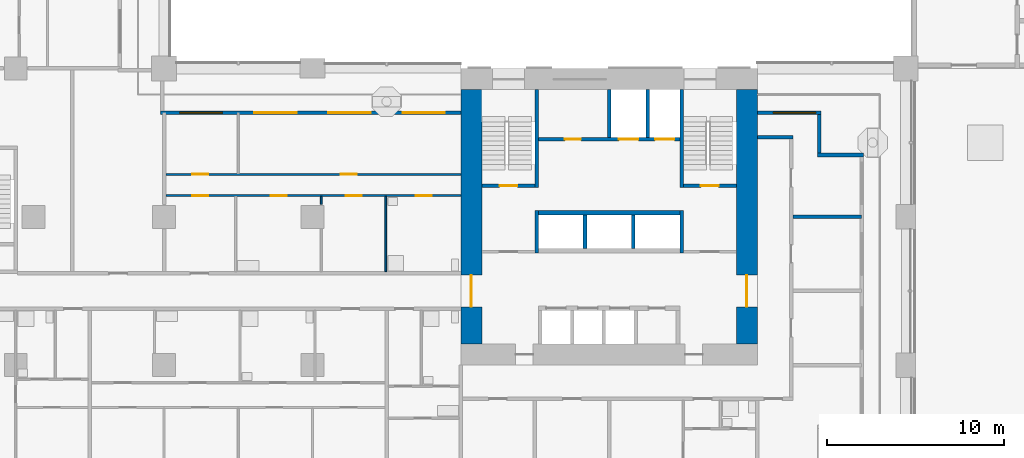
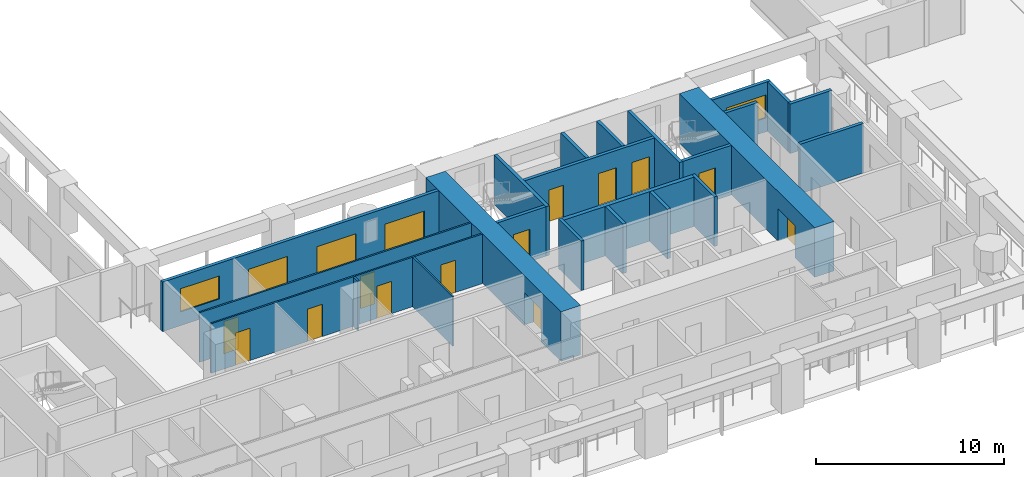
# One storey, part 7 of 23: 24 walls, 16 doors, 2 windows, 18 openings.
"""IFC4 building model written with IfcOpenShell, lengths in metres."""

from ifc_helpers import new_model, si_unit, direction, frame, frame_2d, origin, place, context, subcontext, project, spatial, rectangle, extrude, material, layer, layer_set, type_object, element, fill, save


model = new_model("IFC4")

# Units and contexts
model_context = context("Model", 3, precision=1e-05, world=origin(), true_north=direction((0.0, 1.0)))
body_context = subcontext(model_context, "Body", "Model", "MODEL_VIEW")
ifc_project = project(units=[si_unit("LENGTHUNIT", "METRE"), si_unit("AREAUNIT", "SQUARE_METRE"), si_unit("VOLUMEUNIT", "CUBIC_METRE"), si_unit("PLANEANGLEUNIT", "RADIAN"), si_unit("MASSUNIT", "GRAM", prefix="KILO")], contexts=[model_context])

# Site, building, storey
site_placement = place(None, origin())
site = spatial("IfcSite", under=ifc_project, at=site_placement, CompositionType="ELEMENT")
building_placement = place(site_placement, origin())
building = spatial("IfcBuilding", under=site, at=building_placement, Name="Vermilion Gate Residences", CompositionType="ELEMENT")
storey_placement = place(building_placement, frame((0.0, 0.0, 25.199951171875)))
storey = spatial("IfcBuildingStorey", under=building, at=storey_placement, Name="L04", CompositionType="ELEMENT", Elevation=25.199951171875)

# Walls
ifc_material_1 = material(Name="Insulated steel stud wall with terracotta rainscreen", Category="masonry")
ifc_layer_1 = layer(ifc_material_1, 0.199951171875)
ifc_layer_set_1 = layer_set([ifc_layer_1], Name="EXTERNAL WALL 200 TERRACOTTA RAINSCREEN")
wall_type_1 = type_object("IfcWallType", Name="EXTERNAL WALL 200 TERRACOTTA RAINSCREEN", PredefinedType="SOLIDWALL", material=ifc_layer_set_1)
wall_1_placement = place(storey_placement, frame((64.800048828125, 20.300048828125, 0.0), z_axis=(0.0, 0.0, 1.0), x_axis=(-1.0, 0.0, 0.0)))
element("IfcWall", 1, at=wall_1_placement, inside=storey, type_object=wall_type_1, Name="External wall", PredefinedType="SOLIDWALL", context=body_context, shape_type="SweptSolid", body=[
    extrude(rectangle(XDim=2.60009765625, YDim=0.199951171875, at=frame_2d((1.300048828125, 0.0))), origin(), (0.0, 0.0, 1.0), 3.219970703125),
])
wall_2_placement = place(storey_placement, frame((62.300048828125, 20.39990234375, 0.0), z_axis=(0.0, 0.0, 1.0), x_axis=(0.0, 1.0, 0.0)))
element("IfcWall", 2, at=wall_2_placement, inside=storey, type_object=wall_type_1, Name="External wall", PredefinedType="SOLIDWALL", context=body_context, shape_type="SweptSolid", body=[
    extrude(rectangle(XDim=2.2001953125, YDim=0.199951171875, at=frame_2d((1.10009765625, 0.0))), origin(), (0.0, 0.0, 1.0), 3.219970703125),
])

# Wall, opening, window
wall_3_placement = place(storey_placement, frame((62.39990234375, 22.699951171875, 0.0), z_axis=(0.0, 0.0, 1.0), x_axis=(-1.0, 0.0, 0.0)))
wall_3 = element("IfcWall", 3, at=wall_3_placement, inside=storey, type_object=wall_type_1, Name="External wall", PredefinedType="SOLIDWALL", context=body_context, shape_type="SweptSolid", body=[
    extrude(rectangle(XDim=3.599853515625, YDim=0.199951171875, at=frame_2d((1.7998046875, 0.0))), origin(), (0.0, 0.0, 1.0), 3.219970703125),
])
opening_1_placement = place(wall_3_placement, frame((0.300048828125, 0.0, 0.89990234375)))
opening_1 = element("IfcOpeningElement", 4, at=opening_1_placement, cuts=wall_3, Name="Opening WE04032", PredefinedType="OPENING", context=body_context, shape_type="SweptSolid", body=[
    extrude(rectangle(XDim=2.39990234375, YDim=1.5, at=frame_2d((1.199951171875, 0.75))), frame((0.0, 0.10986328125, 0.0), z_axis=(0.0, -1.0, 0.0), x_axis=(1.0, 0.0, 0.0)), (0.0, 0.0, 1.0), 0.219970703125),
])
ifc_material_2 = material(Name="Aluminium and clear glass", Category="aluminium")
window_type = type_object("IfcWindowType", Name="WINDOW 2400 X 1500", PartitioningType="SINGLE_PANEL", PredefinedType="WINDOW", material=ifc_material_2)
window_1_placement = place(opening_1_placement, origin())
window_1 = element("IfcWindow", 5, at=window_1_placement, inside=storey, type_object=window_type, Name="Window", OverallHeight=1.5, OverallWidth=2.39990234375, PartitioningType="SINGLE_PANEL", PredefinedType="WINDOW", context=body_context, shape_type="SweptSolid", body=[
    extrude(rectangle(XDim=2.39990234375, YDim=1.5, at=frame_2d((1.199951171875, 0.75))), frame((0.0, 0.030029296875, 0.0), z_axis=(0.0, -1.0, 0.0), x_axis=(1.0, 0.0, 0.0)), (0.0, 0.0, 1.0), 0.06005859375),
])
fill(opening_1, window_1)

# Wall, openings, doors, window
wall_4_placement = place(storey_placement, frame((42.0, 22.699951171875, 0.0), z_axis=(0.0, 0.0, 1.0), x_axis=(-1.0, 0.0, 0.0)))
wall_4 = element("IfcWall", 6, at=wall_4_placement, inside=storey, type_object=wall_type_1, Name="External wall", PredefinedType="SOLIDWALL", context=body_context, shape_type="SweptSolid", body=[
    extrude(rectangle(XDim=17.0, YDim=0.199951171875, at=frame_2d((8.5, 0.0))), origin(), (0.0, 0.0, 1.0), 3.219970703125),
])
opening_2_placement = place(wall_4_placement, frame((13.5, 0.0, 0.89990234375)))
opening_2 = element("IfcOpeningElement", 7, at=opening_2_placement, cuts=wall_4, Name="Opening WE04033", PredefinedType="OPENING", context=body_context, shape_type="SweptSolid", body=[
    extrude(rectangle(XDim=2.39990234375, YDim=1.5, at=frame_2d((1.199951171875, 0.75))), frame((0.0, 0.10986328125, 0.0), z_axis=(0.0, -1.0, 0.0), x_axis=(1.0, 0.0, 0.0)), (0.0, 0.0, 1.0), 0.219970703125),
])
opening_3_placement = place(wall_4_placement, frame((9.300048828125, 0.0, 0.0)))
opening_3 = element("IfcOpeningElement", 8, at=opening_3_placement, cuts=wall_4, Name="Opening DE04034", PredefinedType="OPENING", context=body_context, shape_type="SweptSolid", body=[
    extrude(rectangle(XDim=2.39990234375, YDim=2.199951171875, at=frame_2d((1.199951171875, 1.10009765625))), frame((0.0, 0.10986328125, 0.0), z_axis=(0.0, -1.0, 0.0), x_axis=(1.0, 0.0, 0.0)), (0.0, 0.0, 1.0), 0.219970703125),
])
opening_4_placement = place(wall_4_placement, frame((5.10009765625, 0.0, 0.0)))
opening_4 = element("IfcOpeningElement", 9, at=opening_4_placement, cuts=wall_4, Name="Opening DE04035", PredefinedType="OPENING", context=body_context, shape_type="SweptSolid", body=[
    extrude(rectangle(XDim=2.39990234375, YDim=2.199951171875, at=frame_2d((1.199951171875, 1.10009765625))), frame((0.0, 0.10986328125, 0.0), z_axis=(0.0, -1.0, 0.0), x_axis=(1.0, 0.0, 0.0)), (0.0, 0.0, 1.0), 0.219970703125),
])
opening_5_placement = place(wall_4_placement, frame((0.89990234375, 0.0, 0.0)))
opening_5 = element("IfcOpeningElement", 10, at=opening_5_placement, cuts=wall_4, Name="Opening DE04036", PredefinedType="OPENING", context=body_context, shape_type="SweptSolid", body=[
    extrude(rectangle(XDim=2.39990234375, YDim=2.199951171875, at=frame_2d((1.199951171875, 1.10009765625))), frame((0.0, 0.10986328125, 0.0), z_axis=(0.0, -1.0, 0.0), x_axis=(1.0, 0.0, 0.0)), (0.0, 0.0, 1.0), 0.219970703125),
])
ifc_material_3 = material(Name="Aluminium and clear glass", Category="aluminium")
door_type_1 = type_object("IfcDoorType", Name="SLIDING GLAZED DOOR 2400 X 2200", OperationType="DOUBLE_DOOR_SLIDING", PredefinedType="DOOR", material=ifc_material_3)
door_1_placement = place(opening_3_placement, origin())
door_1 = element("IfcDoor", 11, at=door_1_placement, inside=storey, type_object=door_type_1, Name="Loggia sliding door", OperationType="DOUBLE_DOOR_SLIDING", OverallHeight=2.199951171875, OverallWidth=2.39990234375, PredefinedType="DOOR", context=body_context, shape_type="SweptSolid", body=[
    extrude(rectangle(XDim=2.39990234375, YDim=2.199951171875, at=frame_2d((1.199951171875, 1.10009765625))), frame((0.0, 0.02490234375, 0.0), z_axis=(0.0, -1.0, 0.0), x_axis=(1.0, 0.0, 0.0)), (0.0, 0.0, 1.0), 0.050048828125),
])
fill(opening_3, door_1)
door_2_placement = place(opening_4_placement, origin())
door_2 = element("IfcDoor", 12, at=door_2_placement, inside=storey, type_object=door_type_1, Name="Loggia sliding door", OperationType="DOUBLE_DOOR_SLIDING", OverallHeight=2.199951171875, OverallWidth=2.39990234375, PredefinedType="DOOR", context=body_context, shape_type="SweptSolid", body=[
    extrude(rectangle(XDim=2.39990234375, YDim=2.199951171875, at=frame_2d((1.199951171875, 1.10009765625))), frame((0.0, 0.02490234375, 0.0), z_axis=(0.0, -1.0, 0.0), x_axis=(1.0, 0.0, 0.0)), (0.0, 0.0, 1.0), 0.050048828125),
])
fill(opening_4, door_2)
door_3_placement = place(opening_5_placement, origin())
door_3 = element("IfcDoor", 13, at=door_3_placement, inside=storey, type_object=door_type_1, Name="Loggia sliding door", OperationType="DOUBLE_DOOR_SLIDING", OverallHeight=2.199951171875, OverallWidth=2.39990234375, PredefinedType="DOOR", context=body_context, shape_type="SweptSolid", body=[
    extrude(rectangle(XDim=2.39990234375, YDim=2.199951171875, at=frame_2d((1.199951171875, 1.10009765625))), frame((0.0, 0.02490234375, 0.0), z_axis=(0.0, -1.0, 0.0), x_axis=(1.0, 0.0, 0.0)), (0.0, 0.0, 1.0), 0.050048828125),
])
fill(opening_5, door_3)
window_2_placement = place(opening_2_placement, origin())
window_2 = element("IfcWindow", 14, at=window_2_placement, inside=storey, type_object=window_type, Name="Window", OverallHeight=1.5, OverallWidth=2.39990234375, PartitioningType="SINGLE_PANEL", PredefinedType="WINDOW", context=body_context, shape_type="SweptSolid", body=[
    extrude(rectangle(XDim=2.39990234375, YDim=1.5, at=frame_2d((1.199951171875, 0.75))), frame((0.0, 0.030029296875, 0.0), z_axis=(0.0, -1.0, 0.0), x_axis=(1.0, 0.0, 0.0)), (0.0, 0.0, 1.0), 0.06005859375),
])
fill(opening_2, window_2)

# Wall, openings, doors
ifc_material_4 = material(Name="Plasterboard on steel studs", Category="steel")
ifc_layer_2 = layer(ifc_material_4, 0.10009765625)
ifc_layer_set_2 = layer_set([ifc_layer_2], Name="PARTITION 100")
wall_type_2 = type_object("IfcWallType", Name="PARTITION 100", PredefinedType="PARTITIONING", material=ifc_layer_set_2)
wall_5_placement = place(storey_placement, frame((25.300048828125, 18.0, 0.0), z_axis=(0.0, 0.0, 1.0), x_axis=(1.0, 0.0, 0.0)))
wall_5 = element("IfcWall", 15, at=wall_5_placement, inside=storey, type_object=wall_type_2, Name="Partition", PredefinedType="PARTITIONING", context=body_context, shape_type="SweptSolid", body=[
    extrude(rectangle(XDim=16.699951171875, YDim=0.10009765625, at=frame_2d((8.35009765625, 0.0))), origin(), (0.0, 0.0, 1.0), 3.219970703125),
])
opening_6_placement = place(wall_5_placement, frame((1.5, 0.0, 0.0)))
opening_6 = element("IfcOpeningElement", 16, at=opening_6_placement, cuts=wall_5, Name="Opening DA04026", PredefinedType="OPENING", context=body_context, shape_type="SweptSolid", body=[
    extrude(rectangle(XDim=0.89990234375, YDim=2.10009765625, at=frame_2d((0.449951171875, 1.050048828125))), frame((0.0, 0.06005859375, 0.0), z_axis=(0.0, -1.0, 0.0), x_axis=(1.0, 0.0, 0.0)), (0.0, 0.0, 1.0), 0.1201171875),
])
opening_7_placement = place(wall_5_placement, frame((5.949951171875, 0.0, 0.0)))
opening_7 = element("IfcOpeningElement", 17, at=opening_7_placement, cuts=wall_5, Name="Opening DA04027", PredefinedType="OPENING", context=body_context, shape_type="SweptSolid", body=[
    extrude(rectangle(XDim=0.89990234375, YDim=2.10009765625, at=frame_2d((0.449951171875, 1.050048828125))), frame((0.0, 0.06005859375, 0.0), z_axis=(0.0, -1.0, 0.0), x_axis=(1.0, 0.0, 0.0)), (0.0, 0.0, 1.0), 0.1201171875),
])
opening_8_placement = place(wall_5_placement, frame((10.199951171875, 0.0, 0.0)))
opening_8 = element("IfcOpeningElement", 18, at=opening_8_placement, cuts=wall_5, Name="Opening DA04028", PredefinedType="OPENING", context=body_context, shape_type="SweptSolid", body=[
    extrude(rectangle(XDim=0.89990234375, YDim=2.10009765625, at=frame_2d((0.449951171875, 1.050048828125))), frame((0.0, 0.06005859375, 0.0), z_axis=(0.0, -1.0, 0.0), x_axis=(1.0, 0.0, 0.0)), (0.0, 0.0, 1.0), 0.1201171875),
])
opening_9_placement = place(wall_5_placement, frame((14.14990234375, 0.0, 0.0)))
opening_9 = element("IfcOpeningElement", 19, at=opening_9_placement, cuts=wall_5, Name="Opening DA04029", PredefinedType="OPENING", context=body_context, shape_type="SweptSolid", body=[
    extrude(rectangle(XDim=0.89990234375, YDim=2.10009765625, at=frame_2d((0.449951171875, 1.050048828125))), frame((0.0, 0.06005859375, 0.0), z_axis=(0.0, -1.0, 0.0), x_axis=(1.0, 0.0, 0.0)), (0.0, 0.0, 1.0), 0.1201171875),
])
ifc_material_5 = material(Name="Timber", Category="wood")
door_type_2 = type_object("IfcDoorType", Name="INTERIOR DOOR 900 X 2100", OperationType="SINGLE_SWING_LEFT", PredefinedType="DOOR", material=ifc_material_5)
door_4_placement = place(opening_6_placement, frame((0.89990234375, 0.0, 0.0), z_axis=(0.0, 0.0, 1.0), x_axis=(-1.0, 0.0, 0.0)))
door_4 = element("IfcDoor", 20, at=door_4_placement, inside=storey, type_object=door_type_2, Name="Interior door", OperationType="SINGLE_SWING_RIGHT", OverallHeight=2.10009765625, OverallWidth=0.89990234375, PredefinedType="DOOR", context=body_context, shape_type="SweptSolid", body=[
    extrude(rectangle(XDim=0.89990234375, YDim=2.10009765625, at=frame_2d((0.449951171875, 1.050048828125))), frame((0.0, 0.02490234375, 0.0), z_axis=(0.0, -1.0, 0.0), x_axis=(1.0, 0.0, 0.0)), (0.0, 0.0, 1.0), 0.050048828125),
])
fill(opening_6, door_4)
door_5_placement = place(opening_7_placement, frame((0.89990234375, 0.0, 0.0), z_axis=(0.0, 0.0, 1.0), x_axis=(-1.0, 0.0, 0.0)))
door_5 = element("IfcDoor", 21, at=door_5_placement, inside=storey, type_object=door_type_2, Name="Interior door", OperationType="SINGLE_SWING_LEFT", OverallHeight=2.10009765625, OverallWidth=0.89990234375, PredefinedType="DOOR", context=body_context, shape_type="SweptSolid", body=[
    extrude(rectangle(XDim=0.89990234375, YDim=2.10009765625, at=frame_2d((0.449951171875, 1.050048828125))), frame((0.0, 0.02490234375, 0.0), z_axis=(0.0, -1.0, 0.0), x_axis=(1.0, 0.0, 0.0)), (0.0, 0.0, 1.0), 0.050048828125),
])
fill(opening_7, door_5)
door_6_placement = place(opening_8_placement, frame((0.89990234375, 0.0, 0.0), z_axis=(0.0, 0.0, 1.0), x_axis=(-1.0, 0.0, 0.0)))
door_6 = element("IfcDoor", 22, at=door_6_placement, inside=storey, type_object=door_type_2, Name="Interior door", OperationType="SINGLE_SWING_LEFT", OverallHeight=2.10009765625, OverallWidth=0.89990234375, PredefinedType="DOOR", context=body_context, shape_type="SweptSolid", body=[
    extrude(rectangle(XDim=0.89990234375, YDim=2.10009765625, at=frame_2d((0.449951171875, 1.050048828125))), frame((0.0, 0.02490234375, 0.0), z_axis=(0.0, -1.0, 0.0), x_axis=(1.0, 0.0, 0.0)), (0.0, 0.0, 1.0), 0.050048828125),
])
fill(opening_8, door_6)
door_7_placement = place(opening_9_placement, frame((0.89990234375, 0.0, 0.0), z_axis=(0.0, 0.0, 1.0), x_axis=(-1.0, 0.0, 0.0)))
door_7 = element("IfcDoor", 23, at=door_7_placement, inside=storey, type_object=door_type_2, Name="Interior door", OperationType="SINGLE_SWING_RIGHT", OverallHeight=2.10009765625, OverallWidth=0.89990234375, PredefinedType="DOOR", context=body_context, shape_type="SweptSolid", body=[
    extrude(rectangle(XDim=0.89990234375, YDim=2.10009765625, at=frame_2d((0.449951171875, 1.050048828125))), frame((0.0, 0.02490234375, 0.0), z_axis=(0.0, -1.0, 0.0), x_axis=(1.0, 0.0, 0.0)), (0.0, 0.0, 1.0), 0.050048828125),
])
fill(opening_9, door_7)

wall_6_placement = place(storey_placement, frame((25.300048828125, 19.199951171875, 0.0), z_axis=(0.0, 0.0, 1.0), x_axis=(1.0, 0.0, 0.0)))
wall_6 = element("IfcWall", 24, at=wall_6_placement, inside=storey, type_object=wall_type_2, Name="Partition", PredefinedType="PARTITIONING", context=body_context, shape_type="SweptSolid", body=[
    extrude(rectangle(XDim=16.699951171875, YDim=0.10009765625, at=frame_2d((8.35009765625, 0.0))), origin(), (0.0, 0.0, 1.0), 3.219970703125),
])
opening_10_placement = place(wall_6_placement, frame((1.5, 0.0, 0.0)))
opening_10 = element("IfcOpeningElement", 25, at=opening_10_placement, cuts=wall_6, Name="Opening DA04030", PredefinedType="OPENING", context=body_context, shape_type="SweptSolid", body=[
    extrude(rectangle(XDim=0.89990234375, YDim=2.10009765625, at=frame_2d((0.449951171875, 1.050048828125))), frame((0.0, 0.06005859375, 0.0), z_axis=(0.0, -1.0, 0.0), x_axis=(1.0, 0.0, 0.0)), (0.0, 0.0, 1.0), 0.1201171875),
])
opening_11_placement = place(wall_6_placement, frame((9.89990234375, 0.0, 0.0)))
opening_11 = element("IfcOpeningElement", 26, at=opening_11_placement, cuts=wall_6, Name="Opening DA04031", PredefinedType="OPENING", context=body_context, shape_type="SweptSolid", body=[
    extrude(rectangle(XDim=0.89990234375, YDim=2.10009765625, at=frame_2d((0.449951171875, 1.050048828125))), frame((0.0, 0.06005859375, 0.0), z_axis=(0.0, -1.0, 0.0), x_axis=(1.0, 0.0, 0.0)), (0.0, 0.0, 1.0), 0.1201171875),
])
door_8_placement = place(opening_10_placement, origin())
door_8 = element("IfcDoor", 27, at=door_8_placement, inside=storey, type_object=door_type_2, Name="Interior door", OperationType="SINGLE_SWING_LEFT", OverallHeight=2.10009765625, OverallWidth=0.89990234375, PredefinedType="DOOR", context=body_context, shape_type="SweptSolid", body=[
    extrude(rectangle(XDim=0.89990234375, YDim=2.10009765625, at=frame_2d((0.449951171875, 1.050048828125))), frame((0.0, 0.02490234375, 0.0), z_axis=(0.0, -1.0, 0.0), x_axis=(1.0, 0.0, 0.0)), (0.0, 0.0, 1.0), 0.050048828125),
])
fill(opening_10, door_8)
door_9_placement = place(opening_11_placement, origin())
door_9 = element("IfcDoor", 28, at=door_9_placement, inside=storey, type_object=door_type_2, Name="Interior door", OperationType="SINGLE_SWING_LEFT", OverallHeight=2.10009765625, OverallWidth=0.89990234375, PredefinedType="DOOR", context=body_context, shape_type="SweptSolid", body=[
    extrude(rectangle(XDim=0.89990234375, YDim=2.10009765625, at=frame_2d((0.449951171875, 1.050048828125))), frame((0.0, 0.02490234375, 0.0), z_axis=(0.0, -1.0, 0.0), x_axis=(1.0, 0.0, 0.0)), (0.0, 0.0, 1.0), 0.050048828125),
])
fill(opening_11, door_9)

# Walls
wall_7_placement = place(storey_placement, frame((34.10009765625, 17.5, 0.0), z_axis=(0.0, 0.0, 1.0), x_axis=(0.0, 1.0, 0.0)))
element("IfcWall", 29, at=wall_7_placement, inside=storey, type_object=wall_type_2, Name="Partition", PredefinedType="PARTITIONING", context=body_context, shape_type="SweptSolid", body=[
    extrude(rectangle(XDim=0.449951171875, YDim=0.10009765625, at=frame_2d((0.22509765625, 0.0))), origin(), (0.0, 0.0, 1.0), 3.219970703125),
])
wall_8_placement = place(storey_placement, frame((37.75, 13.699951171875, 0.0), z_axis=(0.0, 0.0, 1.0), x_axis=(0.0, 1.0, 0.0)))
element("IfcWall", 30, at=wall_8_placement, inside=storey, type_object=wall_type_2, Name="Partition", PredefinedType="PARTITIONING", context=body_context, shape_type="SweptSolid", body=[
    extrude(rectangle(XDim=4.25, YDim=0.10009765625, at=frame_2d((2.125, 0.0))), origin(), (0.0, 0.0, 1.0), 3.219970703125),
])
ifc_material_6 = material(Name="Fire-rated plasterboard on steel studs", Category="steel")
ifc_layer_3 = layer(ifc_material_6, 0.199951171875)
ifc_layer_set_3 = layer_set([ifc_layer_3], Name="PARTY WALL 200 EI 120")
wall_type_3 = type_object("IfcWallType", Name="PARTY WALL 200 EI 120", PredefinedType="PARTITIONING", material=ifc_layer_set_3)
wall_9_placement = place(storey_placement, frame((60.800048828125, 16.800048828125, 0.0), z_axis=(0.0, 0.0, 1.0), x_axis=(1.0, 0.0, 0.0)))
element("IfcWall", 31, at=wall_9_placement, inside=storey, type_object=wall_type_3, Name="Party and corridor wall", PredefinedType="PARTITIONING", context=body_context, shape_type="SweptSolid", body=[
    extrude(rectangle(XDim=3.89990234375, YDim=0.199951171875, at=frame_2d((1.949951171875, 0.0))), origin(), (0.0, 0.0, 1.0), 3.219970703125),
])
wall_10_placement = place(storey_placement, frame((58.800048828125, 21.300048828125, 0.0), z_axis=(0.0, 0.0, 1.0), x_axis=(1.0, 0.0, 0.0)))
element("IfcWall", 32, at=wall_10_placement, inside=storey, type_object=wall_type_3, Name="Party and corridor wall", PredefinedType="PARTITIONING", context=body_context, shape_type="SweptSolid", body=[
    extrude(rectangle(XDim=2.0, YDim=0.199951171875, at=frame_2d((1.0, 0.0))), origin(), (0.0, 0.0, 1.0), 3.219970703125),
])
ifc_material_7 = material(Name="Concrete C60", Category="concrete")
ifc_layer_4 = layer(ifc_material_7, 0.199951171875)
ifc_layer_set_4 = layer_set([ifc_layer_4], Name="RC CORE INTERNAL WALL 200 C60")
wall_type_4 = type_object("IfcWallType", Name="RC CORE INTERNAL WALL 200 C60", PredefinedType="SHEAR", material=ifc_layer_set_4)
for number, where, z_axis, x_axis, name in (
    (33, (49.033447265625, 15.0, 0.0), (0.0, 0.0, 1.0), (0.0, 1.0, 0.0), "Core internal wall A04-HR-D1"),
    (34, (51.7666015625, 15.0, 0.0), (0.0, 0.0, 1.0), (0.0, 1.0, 0.0), "Core internal wall A04-HR-D2"),
):
    element("IfcWall", number, at=place(storey_placement, frame(where, z_axis=z_axis, x_axis=x_axis)), inside=storey, type_object=wall_type_4, Name=name, PredefinedType="SHEAR", context=body_context, shape_type="SweptSolid", body=[
        extrude(rectangle(XDim=1.89990234375, YDim=0.199951171875, at=frame_2d((0.949951171875, 0.0))), origin(), (0.0, 0.0, 1.0), 3.219970703125),
    ])
for number, where, z_axis, x_axis, name in (
    (35, (50.39990234375, 21.300048828125, 0.0), (0.0, 0.0, 1.0), (0.0, 1.0, 0.0), "Core internal wall A04-FF-D0"),
    (36, (52.60009765625, 21.300048828125, 0.0), (0.0, 0.0, 1.0), (0.0, 1.0, 0.0), "Core internal wall A04-FF-D1"),
):
    element("IfcWall", number, at=place(storey_placement, frame(where, z_axis=z_axis, x_axis=x_axis)), inside=storey, type_object=wall_type_4, Name=name, PredefinedType="SHEAR", context=body_context, shape_type="SweptSolid", body=[
        extrude(rectangle(XDim=2.699951171875, YDim=0.199951171875, at=frame_2d((1.35009765625, 0.0))), origin(), (0.0, 0.0, 1.0), 3.219970703125),
    ])

# Wall, openings, doors
wall_11_placement = place(storey_placement, frame((46.39990234375, 21.199951171875, 0.0), z_axis=(0.0, 0.0, 1.0), x_axis=(1.0, 0.0, 0.0)))
wall_11 = element("IfcWall", 37, at=wall_11_placement, inside=storey, type_object=wall_type_4, Name="Core internal wall A04-FF-F", PredefinedType="SHEAR", context=body_context, shape_type="SweptSolid", body=[
    extrude(rectangle(XDim=8.0, YDim=0.199951171875, at=frame_2d((4.0, 0.0))), origin(), (0.0, 0.0, 1.0), 3.219970703125),
])
opening_12_placement = place(wall_11_placement, frame((1.5, 0.0, 0.0)))
opening_12 = element("IfcOpeningElement", 38, at=opening_12_placement, cuts=wall_11, Name="Opening DK04009", PredefinedType="OPENING", context=body_context, shape_type="SweptSolid", body=[
    extrude(rectangle(XDim=0.89990234375, YDim=2.10009765625, at=frame_2d((0.449951171875, 1.050048828125))), frame((0.0, 0.10986328125, 0.0), z_axis=(0.0, -1.0, 0.0), x_axis=(1.0, 0.0, 0.0)), (0.0, 0.0, 1.0), 0.219970703125),
])
opening_13_placement = place(wall_11_placement, frame((4.550048828125, 0.0, 0.0)))
opening_13 = element("IfcOpeningElement", 39, at=opening_13_placement, cuts=wall_11, Name="Opening LD", PredefinedType="OPENING", context=body_context, shape_type="SweptSolid", body=[
    extrude(rectangle(XDim=1.10009765625, YDim=2.10009765625, at=frame_2d((0.550048828125, 1.050048828125))), frame((0.0, 0.10986328125, 0.0), z_axis=(0.0, -1.0, 0.0), x_axis=(1.0, 0.0, 0.0)), (0.0, 0.0, 1.0), 0.219970703125),
])
opening_14_placement = place(wall_11_placement, frame((6.60009765625, 0.0, 0.0)))
opening_14 = element("IfcOpeningElement", 40, at=opening_14_placement, cuts=wall_11, Name="Opening LD", PredefinedType="OPENING", context=body_context, shape_type="SweptSolid", body=[
    extrude(rectangle(XDim=1.10009765625, YDim=2.10009765625, at=frame_2d((0.550048828125, 1.050048828125))), frame((0.0, 0.10986328125, 0.0), z_axis=(0.0, -1.0, 0.0), x_axis=(1.0, 0.0, 0.0)), (0.0, 0.0, 1.0), 0.219970703125),
])
ifc_material_8 = material(Name="Stainless steel", Category="steel")
door_type_3 = type_object("IfcDoorType", Name="LIFT LANDING DOOR E60 1100 X 2100", OperationType="DOUBLE_DOOR_SLIDING", PredefinedType="DOOR", material=ifc_material_8)
door_10_placement = place(opening_13_placement, origin())
door_10 = element("IfcDoor", 41, at=door_10_placement, inside=storey, type_object=door_type_3, Name="Lift landing door LFA1", OperationType="DOUBLE_DOOR_SLIDING", OverallHeight=2.10009765625, OverallWidth=1.10009765625, PredefinedType="DOOR", context=body_context, shape_type="SweptSolid", body=[
    extrude(rectangle(XDim=1.10009765625, YDim=2.10009765625, at=frame_2d((0.550048828125, 1.050048828125))), frame((0.0, 0.02490234375, 0.0), z_axis=(0.0, -1.0, 0.0), x_axis=(1.0, 0.0, 0.0)), (0.0, 0.0, 1.0), 0.050048828125),
])
fill(opening_13, door_10)
door_11_placement = place(opening_14_placement, origin())
door_11 = element("IfcDoor", 42, at=door_11_placement, inside=storey, type_object=door_type_3, Name="Lift landing door LCA1", OperationType="DOUBLE_DOOR_SLIDING", OverallHeight=2.10009765625, OverallWidth=1.10009765625, PredefinedType="DOOR", context=body_context, shape_type="SweptSolid", body=[
    extrude(rectangle(XDim=1.10009765625, YDim=2.10009765625, at=frame_2d((0.550048828125, 1.050048828125))), frame((0.0, 0.02490234375, 0.0), z_axis=(0.0, -1.0, 0.0), x_axis=(1.0, 0.0, 0.0)), (0.0, 0.0, 1.0), 0.050048828125),
])
fill(opening_14, door_11)
ifc_material_9 = material(Name="Steel", Category="steel")
door_type_4 = type_object("IfcDoorType", Name="SERVICE ROOM DOOR FD60 900 X 2100", OperationType="SINGLE_SWING_LEFT", PredefinedType="DOOR", material=ifc_material_9)
door_12_placement = place(opening_12_placement, origin())
door_12 = element("IfcDoor", 43, at=door_12_placement, inside=storey, type_object=door_type_4, Name="Electrical riser A04", OperationType="SINGLE_SWING_LEFT", OverallHeight=2.10009765625, OverallWidth=0.89990234375, PredefinedType="DOOR", context=body_context, shape_type="SweptSolid", body=[
    extrude(rectangle(XDim=0.89990234375, YDim=2.10009765625, at=frame_2d((0.449951171875, 1.050048828125))), frame((0.0, 0.02490234375, 0.0), z_axis=(0.0, -1.0, 0.0), x_axis=(1.0, 0.0, 0.0)), (0.0, 0.0, 1.0), 0.050048828125),
])
fill(opening_12, door_12)

# Walls
wall_12_placement = place(storey_placement, frame((46.300048828125, 14.75, 0.0), z_axis=(0.0, 0.0, 1.0), x_axis=(0.0, 1.0, 0.0)))
element("IfcWall", 44, at=wall_12_placement, inside=storey, type_object=wall_type_4, Name="Core internal wall A04-WDIV1", PredefinedType="SHEAR", context=body_context, shape_type="SweptSolid", body=[
    extrude(rectangle(XDim=2.39990234375, YDim=0.199951171875, at=frame_2d((1.199951171875, 0.0))), origin(), (0.0, 0.0, 1.0), 3.219970703125),
])
wall_13_placement = place(storey_placement, frame((46.300048828125, 18.449951171875, 0.0), z_axis=(0.0, 0.0, 1.0), x_axis=(0.0, 1.0, 0.0)))
element("IfcWall", 45, at=wall_13_placement, inside=storey, type_object=wall_type_4, Name="Core internal wall A04-WDIV2", PredefinedType="SHEAR", context=body_context, shape_type="SweptSolid", body=[
    extrude(rectangle(XDim=5.550048828125, YDim=0.199951171875, at=frame_2d((2.77490234375, 0.0))), origin(), (0.0, 0.0, 1.0), 3.219970703125),
])

# Wall, opening, door
wall_14_placement = place(storey_placement, frame((43.199951171875, 18.550048828125, 0.0), z_axis=(0.0, 0.0, 1.0), x_axis=(1.0, 0.0, 0.0)))
wall_14 = element("IfcWall", 46, at=wall_14_placement, inside=storey, type_object=wall_type_4, Name="Core internal wall A04-STW-S", PredefinedType="SHEAR", context=body_context, shape_type="SweptSolid", body=[
    extrude(rectangle(XDim=3.0, YDim=0.199951171875, at=frame_2d((1.5, 0.0))), origin(), (0.0, 0.0, 1.0), 3.219970703125),
])
opening_15_placement = place(wall_14_placement, frame((1.0, 0.0, 0.0)))
opening_15 = element("IfcOpeningElement", 47, at=opening_15_placement, cuts=wall_14, Name="Opening DK04013", PredefinedType="OPENING", context=body_context, shape_type="SweptSolid", body=[
    extrude(rectangle(XDim=1.0, YDim=2.10009765625, at=frame_2d((0.5, 1.050048828125))), frame((0.0, 0.10986328125, 0.0), z_axis=(0.0, -1.0, 0.0), x_axis=(1.0, 0.0, 0.0)), (0.0, 0.0, 1.0), 0.219970703125),
])
ifc_material_10 = material(Name="Steel", Category="steel")
door_type_5 = type_object("IfcDoorType", Name="FIRE DOOR FD60 1000 X 2100", OperationType="SINGLE_SWING_LEFT", PredefinedType="DOOR", material=ifc_material_10)
door_13_placement = place(opening_15_placement, origin())
door_13 = element("IfcDoor", 48, at=door_13_placement, inside=storey, type_object=door_type_5, Name="Stair door A04", OperationType="SINGLE_SWING_LEFT", OverallHeight=2.10009765625, OverallWidth=1.0, PredefinedType="DOOR", context=body_context, shape_type="SweptSolid", body=[
    extrude(rectangle(XDim=1.0, YDim=2.10009765625, at=frame_2d((0.5, 1.050048828125))), frame((0.0, 0.02490234375, 0.0), z_axis=(0.0, -1.0, 0.0), x_axis=(1.0, 0.0, 0.0)), (0.0, 0.0, 1.0), 0.050048828125),
])
fill(opening_15, door_13)

# Walls
wall_15_placement = place(storey_placement, frame((54.5, 14.75, 0.0), z_axis=(0.0, 0.0, 1.0), x_axis=(0.0, 1.0, 0.0)))
element("IfcWall", 49, at=wall_15_placement, inside=storey, type_object=wall_type_4, Name="Core internal wall A04-EDIV1", PredefinedType="SHEAR", context=body_context, shape_type="SweptSolid", body=[
    extrude(rectangle(XDim=2.39990234375, YDim=0.199951171875, at=frame_2d((1.199951171875, 0.0))), origin(), (0.0, 0.0, 1.0), 3.219970703125),
])
wall_16_placement = place(storey_placement, frame((54.5, 18.449951171875, 0.0), z_axis=(0.0, 0.0, 1.0), x_axis=(0.0, 1.0, 0.0)))
element("IfcWall", 50, at=wall_16_placement, inside=storey, type_object=wall_type_4, Name="Core internal wall A04-EDIV2", PredefinedType="SHEAR", context=body_context, shape_type="SweptSolid", body=[
    extrude(rectangle(XDim=5.550048828125, YDim=0.199951171875, at=frame_2d((2.77490234375, 0.0))), origin(), (0.0, 0.0, 1.0), 3.219970703125),
])

# Wall, opening, door
wall_17_placement = place(storey_placement, frame((54.60009765625, 18.550048828125, 0.0), z_axis=(0.0, 0.0, 1.0), x_axis=(1.0, 0.0, 0.0)))
wall_17 = element("IfcWall", 51, at=wall_17_placement, inside=storey, type_object=wall_type_4, Name="Core internal wall A04-STE-S", PredefinedType="SHEAR", context=body_context, shape_type="SweptSolid", body=[
    extrude(rectangle(XDim=3.0, YDim=0.199951171875, at=frame_2d((1.5, 0.0))), origin(), (0.0, 0.0, 1.0), 3.219970703125),
])
opening_16_placement = place(wall_17_placement, frame((1.0, 0.0, 0.0)))
opening_16 = element("IfcOpeningElement", 52, at=opening_16_placement, cuts=wall_17, Name="Opening DK04015", PredefinedType="OPENING", context=body_context, shape_type="SweptSolid", body=[
    extrude(rectangle(XDim=1.0, YDim=2.10009765625, at=frame_2d((0.5, 1.050048828125))), frame((0.0, 0.10986328125, 0.0), z_axis=(0.0, -1.0, 0.0), x_axis=(1.0, 0.0, 0.0)), (0.0, 0.0, 1.0), 0.219970703125),
])
door_14_placement = place(opening_16_placement, origin())
door_14 = element("IfcDoor", 53, at=door_14_placement, inside=storey, type_object=door_type_5, Name="Stair door A04", OperationType="SINGLE_SWING_LEFT", OverallHeight=2.10009765625, OverallWidth=1.0, PredefinedType="DOOR", context=body_context, shape_type="SweptSolid", body=[
    extrude(rectangle(XDim=1.0, YDim=2.10009765625, at=frame_2d((0.5, 1.050048828125))), frame((0.0, 0.02490234375, 0.0), z_axis=(0.0, -1.0, 0.0), x_axis=(1.0, 0.0, 0.0)), (0.0, 0.0, 1.0), 0.050048828125),
])
fill(opening_16, door_14)

ifc_material_11 = material(Name="Concrete C80", Category="concrete")
ifc_layer_5 = layer(ifc_material_11, 1.199951171875)
ifc_layer_set_5 = layer_set([ifc_layer_5], Name="RC CORE WALL 1200 C80")
wall_type_5 = type_object("IfcWallType", Name="RC CORE WALL 1200 C80", PredefinedType="SHEAR", material=ifc_layer_set_5)
wall_18_placement = place(storey_placement, frame((42.60009765625, 9.60009765625, 0.0), z_axis=(0.0, 0.0, 1.0), x_axis=(0.0, 1.0, 0.0)))
wall_18 = element("IfcWall", 54, at=wall_18_placement, inside=storey, type_object=wall_type_5, Name="Core wall A04-OUT-FR", PredefinedType="SHEAR", context=body_context, shape_type="SweptSolid", body=[
    extrude(rectangle(XDim=14.39990234375, YDim=1.199951171875, at=frame_2d((7.199951171875, 0.0))), origin(), (0.0, 0.0, 1.0), 3.219970703125),
])
opening_17_placement = place(wall_18_placement, frame((2.10009765625, 0.0, 0.0)))
opening_17 = element("IfcOpeningElement", 55, at=opening_17_placement, cuts=wall_18, Name="Opening DK04003", PredefinedType="OPENING", context=body_context, shape_type="SweptSolid", body=[
    extrude(rectangle(XDim=1.800048828125, YDim=2.10009765625, at=frame_2d((0.89990234375, 1.050048828125))), frame((0.0, 0.60986328125, 0.0), z_axis=(0.0, -1.0, 0.0), x_axis=(1.0, 0.0, 0.0)), (0.0, 0.0, 1.0), 1.219970703125),
])
ifc_material_12 = material(Name="Steel", Category="steel")
door_type_6 = type_object("IfcDoorType", Name="CORE LOBBY DOOR FD60 1800 X 2100", OperationType="DOUBLE_DOOR_SINGLE_SWING", PredefinedType="DOOR", material=ifc_material_12)
door_15_placement = place(opening_17_placement, frame((1.800048828125, 0.0, 0.0), z_axis=(0.0, 0.0, 1.0), x_axis=(-1.0, 0.0, 0.0)))
door_15 = element("IfcDoor", 56, at=door_15_placement, inside=storey, type_object=door_type_6, Name="Core lobby door A04", OperationType="DOUBLE_DOOR_SINGLE_SWING", OverallHeight=2.10009765625, OverallWidth=1.800048828125, PredefinedType="DOOR", context=body_context, shape_type="SweptSolid", body=[
    extrude(rectangle(XDim=1.800048828125, YDim=2.10009765625, at=frame_2d((0.89990234375, 1.050048828125))), frame((0.0, 0.02490234375, 0.0), z_axis=(0.0, -1.0, 0.0), x_axis=(1.0, 0.0, 0.0)), (0.0, 0.0, 1.0), 0.050048828125),
])
fill(opening_17, door_15)

wall_19_placement = place(storey_placement, frame((58.199951171875, 9.60009765625, 0.0), z_axis=(0.0, 0.0, 1.0), x_axis=(0.0, 1.0, 0.0)))
wall_19 = element("IfcWall", 57, at=wall_19_placement, inside=storey, type_object=wall_type_5, Name="Core wall A04-OUT-BK", PredefinedType="SHEAR", context=body_context, shape_type="SweptSolid", body=[
    extrude(rectangle(XDim=14.39990234375, YDim=1.199951171875, at=frame_2d((7.199951171875, 0.0))), origin(), (0.0, 0.0, 1.0), 3.219970703125),
])
opening_18_placement = place(wall_19_placement, frame((2.10009765625, 0.0, 0.0)))
opening_18 = element("IfcOpeningElement", 58, at=opening_18_placement, cuts=wall_19, Name="Opening DK04004", PredefinedType="OPENING", context=body_context, shape_type="SweptSolid", body=[
    extrude(rectangle(XDim=1.800048828125, YDim=2.10009765625, at=frame_2d((0.89990234375, 1.050048828125))), frame((0.0, 0.60986328125, 0.0), z_axis=(0.0, -1.0, 0.0), x_axis=(1.0, 0.0, 0.0)), (0.0, 0.0, 1.0), 1.219970703125),
])
door_16_placement = place(opening_18_placement, origin())
door_16 = element("IfcDoor", 59, at=door_16_placement, inside=storey, type_object=door_type_6, Name="Core lobby door A04", OperationType="DOUBLE_DOOR_SINGLE_SWING", OverallHeight=2.10009765625, OverallWidth=1.800048828125, PredefinedType="DOOR", context=body_context, shape_type="SweptSolid", body=[
    extrude(rectangle(XDim=1.800048828125, YDim=2.10009765625, at=frame_2d((0.89990234375, 1.050048828125))), frame((0.0, 0.02490234375, 0.0), z_axis=(0.0, -1.0, 0.0), x_axis=(1.0, 0.0, 0.0)), (0.0, 0.0, 1.0), 0.050048828125),
])
fill(opening_18, door_16)

# Wall
ifc_material_13 = material(Name="Concrete C60", Category="concrete")
ifc_layer_6 = layer(ifc_material_13, 0.25)
ifc_layer_set_6 = layer_set([ifc_layer_6], Name="RC LIFT SHAFT WALL 250 C60")
wall_type_6 = type_object("IfcWallType", Name="RC LIFT SHAFT WALL 250 C60", PredefinedType="SHEAR", material=ifc_layer_set_6)
wall_20_placement = place(storey_placement, frame((46.39990234375, 17.02490234375, 0.0), z_axis=(0.0, 0.0, 1.0), x_axis=(1.0, 0.0, 0.0)))
element("IfcWall", 60, at=wall_20_placement, inside=storey, type_object=wall_type_6, Name="Lift shaft wall A04-HR-B", PredefinedType="SHEAR", context=body_context, shape_type="SweptSolid", body=[
    extrude(rectangle(XDim=8.0, YDim=0.25, at=frame_2d((4.0, 0.0))), origin(), (0.0, 0.0, 1.0), 3.219970703125),
])

save(model, "model.ifc")
